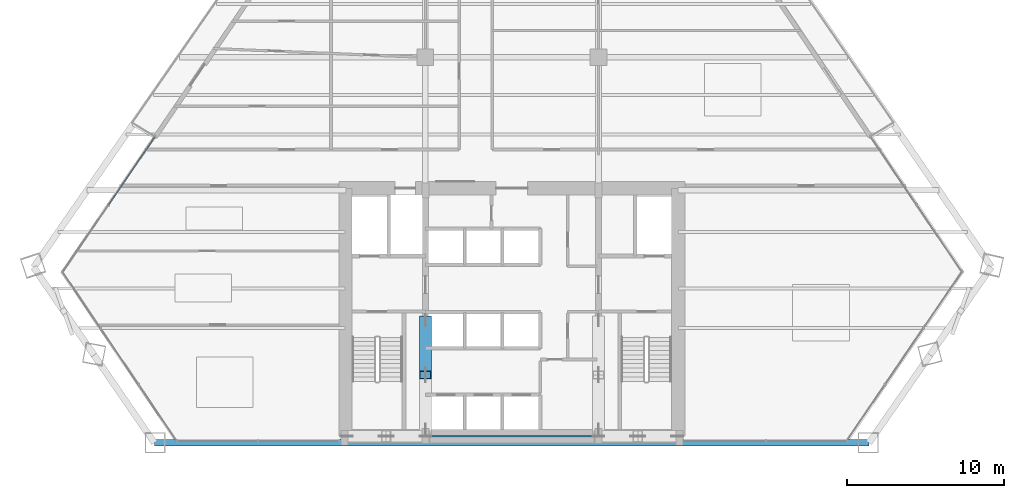
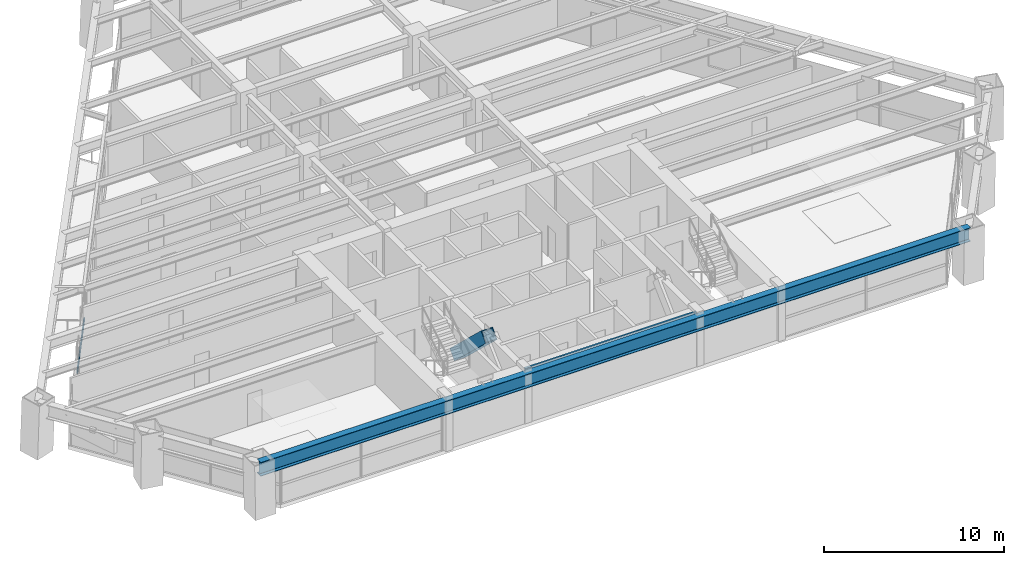
# One storey, part 3 of 14: 2 beams, 2 members, 1 element without a shape of its own.
"""IFC4 building model written with IfcOpenShell, lengths in metres."""

import ifcopenshell
import ifcopenshell.guid

model = None  # the IFC model being written
_history = None  # IfcOwnerHistory: only IFC2X3 demands one
_inside = {}  # id of a spatial element -> (the spatial element, [elements in it])
_under = {}  # id of a project, library or spatial element -> (it, [spatial elements below it])
_declared = {}  # id of a project -> (the project, [libraries it declares])
_typed = {}  # id of a type object -> (the type object, [elements of that type])
_made_of = {}  # id of a material, layer set ... -> (it, [elements and type objects made of it])


def new_model(schema):
    """Start an empty IFC model of exactly this schema.

    Asked for "IFC4X3", IfcOpenShell would pick the latest addendum, in which some entities
    have other attributes; the version numbers below select the first issue.
    IFC2X3 requires an IfcOwnerHistory on every rooted entity: one is made here for all.
    """
    global model, _history
    if schema == "IFC4X3":
        model = ifcopenshell.file(schema_version=(4, 3, 0, 0))
    else:
        model = ifcopenshell.file(schema=schema)
    _inside.clear()
    _under.clear()
    _declared.clear()
    _typed.clear()
    _made_of.clear()
    _history = None
    if model.schema == "IFC2X3":
        org = make("IfcOrganization", Name="unknown")
        user = make(
            "IfcPersonAndOrganization",
            ThePerson=make("IfcPerson", FamilyName="unknown"),
            TheOrganization=org,
        )
        app = make(
            "IfcApplication",
            ApplicationDeveloper=org,
            Version="unknown",
            ApplicationFullName="unknown",
            ApplicationIdentifier="unknown",
        )
        _history = make(
            "IfcOwnerHistory",
            OwningUser=user,
            OwningApplication=app,
            ChangeAction="ADDED",
            CreationDate=0,
        )
    return model


def make(cls, **values):
    """One entity of the class cls with the attributes given. An attribute that is None is left unset."""
    return model.create_entity(
        cls, **{name: value for name, value in values.items() if value is not None}
    )


def rooted(cls, **values):
    """An entity with a GlobalId (a new one), such as an element, a storey or a relation."""
    return make(cls, GlobalId=ifcopenshell.guid.new(), OwnerHistory=_history, **values)


def si_unit(unit_type, name, prefix=None):
    """IfcSIUnit, for example si_unit("LENGTHUNIT", "METRE", prefix="MILLI")."""
    return make("IfcSIUnit", UnitType=unit_type, Prefix=prefix, Name=name)


def assignment(units):
    """IfcUnitAssignment: the units of a project."""
    return None if units is None else make("IfcUnitAssignment", Units=units)


def point(xyz):
    """IfcCartesianPoint."""
    return None if xyz is None else make("IfcCartesianPoint", Coordinates=xyz)


def direction(xyz):
    """IfcDirection."""
    return None if xyz is None else make("IfcDirection", DirectionRatios=xyz)


def frame(location, z_axis=None, x_axis=None):
    """IfcAxis2Placement3D, a coordinate frame: its origin and axes. An axis left out is left unset."""
    return make(
        "IfcAxis2Placement3D",
        Location=point(location),
        Axis=direction(z_axis),
        RefDirection=direction(x_axis),
    )


def frame_2d(location, x_axis=None):
    """IfcAxis2Placement2D, a coordinate frame in the plane: its origin and x axis."""
    return make(
        "IfcAxis2Placement2D", Location=point(location), RefDirection=direction(x_axis)
    )


def origin():
    """The frame at (0, 0, 0) with its axes left unset."""
    return frame((0.0, 0.0, 0.0))


def origin_2d():
    """The frame at (0, 0) in the plane with its x axis left unset."""
    return frame_2d((0.0, 0.0))


def place(relative_to, where):
    """IfcLocalPlacement: puts the frame where relative to a parent placement (None: the world)."""
    return make(
        "IfcLocalPlacement", PlacementRelTo=relative_to, RelativePlacement=where
    )


def context(
    kind, dimensions, precision=None, world=None, true_north=None, identifier=None
):
    """IfcGeometricRepresentationContext, for example the 3D "Model" context."""
    return make(
        "IfcGeometricRepresentationContext",
        ContextIdentifier=identifier,
        ContextType=kind,
        CoordinateSpaceDimension=dimensions,
        Precision=precision,
        WorldCoordinateSystem=world,
        TrueNorth=true_north,
    )


def subcontext(parent, identifier, kind, view, scale=None):
    """IfcGeometricRepresentationSubContext, for example "Body" below "Model"."""
    return make(
        "IfcGeometricRepresentationSubContext",
        ContextIdentifier=identifier,
        ContextType=kind,
        ParentContext=parent,
        TargetScale=scale,
        TargetView=view,
    )


def project(units=None, contexts=None):
    """IfcProject with its units and contexts."""
    return rooted(
        "IfcProject",
        Name="project",
        RepresentationContexts=contexts,
        UnitsInContext=assignment(units),
    )


def spatial(cls, under=None, at=None, **own):
    """A site, building, storey or space (cls), placed at a placement, below another one or the project."""
    s = rooted(cls, ObjectPlacement=at, **own)
    if under is not None:
        _under.setdefault(under.id(), (under, []))[1].append(s)
    return s


def profile(cls, at=None, kind="AREA", **sizes):
    """A parametric profile (cls). Its sizes go by their IFC names, for example OverallWidth=200.0."""
    return make(cls, ProfileType=kind, Position=at, **sizes)


def rectangle(**sizes):
    """IfcRectangleProfileDef."""
    return profile("IfcRectangleProfileDef", **sizes)


def hollow_rectangle(**sizes):
    """IfcRectangleHollowProfileDef."""
    return profile("IfcRectangleHollowProfileDef", **sizes)


def i_section(**sizes):
    """IfcIShapeProfileDef."""
    return profile("IfcIShapeProfileDef", **sizes)


def extrude(swept, where, along, depth):
    """IfcExtrudedAreaSolid: the profile swept, set in the frame where, extruded along a direction by depth."""
    return make(
        "IfcExtrudedAreaSolid",
        SweptArea=swept,
        Position=where,
        ExtrudedDirection=direction(along),
        Depth=depth,
    )


def shape(context_of_items, identifier, shape_type, items):
    """IfcShapeRepresentation: the items that make up one representation, for example the "Body"."""
    return make(
        "IfcShapeRepresentation",
        ContextOfItems=context_of_items,
        RepresentationIdentifier=identifier,
        RepresentationType=shape_type,
        Items=items,
    )


def source(mapping_origin, context_of_items, identifier, shape_type, items):
    """IfcRepresentationMap: a shape defined once, which mapped items show again and again."""
    return make(
        "IfcRepresentationMap",
        MappingOrigin=mapping_origin,
        MappedRepresentation=shape(context_of_items, identifier, shape_type, items),
    )


def transform(
    local_origin,
    x_axis=None,
    y_axis=None,
    z_axis=None,
    scale=None,
    scale2=None,
    scale3=None,
    uniform=True,
):
    """IfcCartesianTransformationOperator3D, or its non-uniform kind. x_axis, y_axis, z_axis: its Axis1, 2, 3."""
    if uniform:
        return make(
            "IfcCartesianTransformationOperator3D",
            Axis1=direction(x_axis),
            Axis2=direction(y_axis),
            LocalOrigin=point(local_origin),
            Scale=scale,
            Axis3=direction(z_axis),
        )
    return make(
        "IfcCartesianTransformationOperator3DnonUniform",
        Axis1=direction(x_axis),
        Axis2=direction(y_axis),
        LocalOrigin=point(local_origin),
        Scale=scale,
        Axis3=direction(z_axis),
        Scale2=scale2,
        Scale3=scale3,
    )


def mapped(mapping_source, mapping_target):
    """IfcMappedItem: shows the shape of a source again, moved by a transform."""
    return make(
        "IfcMappedItem", MappingSource=mapping_source, MappingTarget=mapping_target
    )


def material(Name=None, Category=None):
    """IfcMaterial."""
    return make("IfcMaterial", Name=Name, Category=Category)


def material_profile(
    of_material, cross_section, Name=None, Category=None, Priority=None
):
    """IfcMaterialProfile: a cross section and its material."""
    return make(
        "IfcMaterialProfile",
        Name=Name,
        Material=of_material,
        Profile=cross_section,
        Priority=Priority,
        Category=Category,
    )


def profile_set(profiles, Name=None, composite=None):
    """IfcMaterialProfileSet."""
    return make(
        "IfcMaterialProfileSet",
        Name=Name,
        MaterialProfiles=profiles,
        CompositeProfile=composite,
    )


def made_of(thing, what):
    """Note that an element or type object is made of a material, layer set ...; save() writes the relation."""
    if what is not None:
        _made_of.setdefault(what.id(), (what, []))[1].append(thing)
    return thing


def type_object(cls, material=None, **own):
    """A type object (cls), such as IfcWallType, which elements share."""
    return made_of(rooted(cls, **own), material)


def type_shapes(of_type, sources):
    """Give a type object the sources (RepresentationMaps) that its elements show as mapped items."""
    of_type.RepresentationMaps = sources


def element(
    cls,
    number,
    at=None,
    inside=None,
    cuts=None,
    type_object=None,
    material=None,
    context=None,
    identifier="Body",
    shape_type=None,
    held_by="IfcProductDefinitionShape",
    body=None,
    shapes=None,
    **own,
):
    """One element of the class cls, such as IfcWall. Its Tag is "e" and its number.

    at: its placement. inside: the storey or other place that contains it. cuts: it is an
    opening in that element (IfcRelVoidsElement). A single representation is given by context,
    identifier, shape_type and body (its items); several are given by shapes. held_by: the class
    of the entity that holds the representations. save() writes the other relations.
    """
    e = rooted(cls, Tag="e%d" % number, ObjectPlacement=at, **own)
    if body is not None:
        shapes = [shape(context, identifier, shape_type, body)]
    if shapes is not None:
        e.Representation = make(held_by, Representations=shapes)
    if inside is not None:
        _inside.setdefault(inside.id(), (inside, []))[1].append(e)
    if cuts is not None:
        rooted(
            "IfcRelVoidsElement", RelatingBuildingElement=cuts, RelatedOpeningElement=e
        )
    if type_object is not None:
        _typed.setdefault(type_object.id(), (type_object, []))[1].append(e)
    return made_of(e, material)


def aggregate(whole, parts):
    """IfcRelAggregates: a whole, such as a stair, and the parts it consists of."""
    return rooted("IfcRelAggregates", RelatingObject=whole, RelatedObjects=parts)


def save(model, path):
    """Write the relations noted so far, then the file.

    IfcRelAggregates (storeys below a building ...), IfcRelContainedInSpatialStructure (elements
    in a storey), IfcRelDefinesByType, IfcRelAssociatesMaterial and IfcRelDeclares: one each for
    every whole, place, type object, material and project.
    """
    for whole, parts in _under.values():
        aggregate(whole, parts)
    for where, things in _inside.values():
        rooted(
            "IfcRelContainedInSpatialStructure",
            RelatedElements=things,
            RelatingStructure=where,
        )
    for kind, things in _typed.values():
        rooted("IfcRelDefinesByType", RelatedObjects=things, RelatingType=kind)
    for what, things in _made_of.values():
        rooted("IfcRelAssociatesMaterial", RelatedObjects=things, RelatingMaterial=what)
    for by, libraries in _declared.values():
        rooted("IfcRelDeclares", RelatingContext=by, RelatedDefinitions=libraries)
    model.write(path)


model = new_model("IFC4")

# Units and contexts
model_context = context("Model", 3, precision=1e-05, world=origin(), true_north=direction((0.0, 1.0)))
body_context = subcontext(model_context, "Body", "Model", "MODEL_VIEW")
ifc_project = project(units=[si_unit("LENGTHUNIT", "METRE"), si_unit("AREAUNIT", "SQUARE_METRE"), si_unit("VOLUMEUNIT", "CUBIC_METRE"), si_unit("PLANEANGLEUNIT", "RADIAN"), si_unit("MASSUNIT", "GRAM", prefix="KILO")], contexts=[model_context])

# Site, building, storey
site_placement = place(None, origin())
site = spatial("IfcSite", under=ifc_project, at=site_placement, CompositionType="ELEMENT")
building_placement = place(site_placement, origin())
building = spatial("IfcBuilding", under=site, at=building_placement, Name="Varnakhor Terracotta Tower", CompositionType="ELEMENT")
storey_placement = place(building_placement, frame((0.0, 0.0, 38.60009765625)))
storey = spatial("IfcBuildingStorey", under=building, at=storey_placement, Name="L08", CompositionType="ELEMENT", Elevation=38.60009765625)

# Beam
ifc_material_1 = material(Name="Steel S355", Category="steel")
ifc_material_profile_1 = material_profile(ifc_material_1, i_section(OverallWidth=0.1201171875, OverallDepth=0.239990234375, WebThickness=0.006103515625, FlangeThickness=0.009765625, FilletRadius=0.01806640625, at=origin_2d()), Name="IPE240")
ifc_profile_set_1 = profile_set([ifc_material_profile_1], Name="Steel S355")
beam_type_1 = type_object("IfcBeamType", Name="LNT-IPE240", PredefinedType="LINTEL", material=ifc_profile_set_1)
shared_shape_1 = source(origin(), body_context, "Body", "SweptSolid", [
    extrude(i_section(OverallWidth=0.1201171875, OverallDepth=0.239990234375, WebThickness=0.006103515625, FlangeThickness=0.009765625, FilletRadius=0.01806640625, at=origin_2d()), origin(), (0.0, 0.0, 1.0), 11.0),
])
type_shapes(beam_type_1, [shared_shape_1])
beam_1_placement = place(storey_placement, frame((-5.5, 0.419921875, 3.329833984375), z_axis=(1.0, 0.0, 0.0), x_axis=(0.0, 1.0, 0.0)))
element("IfcBeam", 1, at=beam_1_placement, inside=storey, type_object=beam_type_1, Name="L08 Core South Coupling Lintel", PredefinedType="LINTEL", context=body_context, shape_type="MappedRepresentation", body=[
    mapped(shared_shape_1, transform((0.0, 0.0, 0.0), scale=1.0)),
])

# Member
ifc_material_2 = material(Name="Steel S460", Category="steel")
ifc_material_profile_2 = material_profile(ifc_material_2, hollow_rectangle(XDim=0.75, YDim=0.75, WallThickness=0.044921875, at=origin_2d()), Name="HSS750X750X45")
ifc_profile_set_2 = profile_set([ifc_material_profile_2], Name="Steel S460")
member_type_1 = type_object("IfcMemberType", Name="MBR-MEGA-750", PredefinedType="BRACE", material=ifc_profile_set_2)
shared_shape_2 = source(origin(), body_context, "Body", "SweptSolid", [
    extrude(hollow_rectangle(XDim=0.75, YDim=0.75, WallThickness=0.044921875, at=origin_2d()), origin(), (0.0, 0.0, 1.0), 4.792236328125),
])
member_1_placement = place(storey_placement, frame((-5.5, 7.800048828125, 0.0), z_axis=(0.0, -0.72515968173, 0.688580740359), x_axis=(1.0, 0.0, 0.0)))
element("IfcMember", 2, at=member_1_placement, inside=storey, type_object=member_type_1, Name="L08 Core Coupled Brace CWWB", PredefinedType="BRACE", context=body_context, shape_type="MappedRepresentation", body=[
    mapped(shared_shape_2, transform((0.0, 0.0, 0.0), scale=1.0)),
])

# Beam
ifc_material_profile_3 = material_profile(ifc_material_1, i_section(OverallWidth=0.41796875, OverallDepth=0.927001953125, WebThickness=0.01904296875, FlangeThickness=0.031982421875, FilletRadius=0.01806640625, at=origin_2d()), Name="W36X231")
ifc_profile_set_3 = profile_set([ifc_material_profile_3], Name="Steel S355")
beam_type_2 = type_object("IfcBeamType", Name="BM-W36X231", PredefinedType="BEAM", material=ifc_profile_set_3)
shared_shape_3 = source(origin(), body_context, "Body", "SweptSolid", [
    extrude(i_section(OverallWidth=0.41796875, OverallDepth=0.927001953125, WebThickness=0.01904296875, FlangeThickness=0.031982421875, FilletRadius=0.01806640625, at=origin_2d()), origin(), (0.0, 0.0, 1.0), 45.422607421875),
])
beam_2_placement = place(storey_placement, frame((-22.730712890625, 0.0, 2.986328125), z_axis=(1.0, 0.0, 0.0), x_axis=(0.0, 1.0, 0.0)))
element("IfcBeam", 3, at=beam_2_placement, inside=storey, type_object=beam_type_2, Name="L08 Perimeter Spandrel 1", PredefinedType="BEAM", context=body_context, shape_type="MappedRepresentation", body=[
    mapped(shared_shape_3, transform((0.0, 0.0, 0.0), scale=1.0)),
])

# Curtain wall, member
ifc_material_3 = material(Name="Anodised Aluminium Curtain Wall System", Category="aluminium")
curtain_wall_type = type_object("IfcCurtainWallType", Name="CW-SYS-LOW-OFFICE", PredefinedType="NOTDEFINED", material=ifc_material_3)
curtain_wall_placement = place(storey_placement, origin())
curtain_wall = element("IfcCurtainWall", 4, at=curtain_wall_placement, inside=storey, type_object=curtain_wall_type, Name="L08 W Facet Curtain Wall 1", PredefinedType="NOTDEFINED")
ifc_material_4 = material(Name="Anodised Aluminium 6063-T6", Category="aluminium")
ifc_material_profile_4 = material_profile(ifc_material_4, rectangle(XDim=0.074951171875, YDim=0.1650390625, at=origin_2d()), Name="ALU TRANSOM 75x165")
ifc_profile_set_4 = profile_set([ifc_material_profile_4], Name="Anodised Aluminium 6063-T6")
member_type_2 = type_object("IfcMemberType", Name="CWT-02", PredefinedType="USERDEFINED", material=ifc_profile_set_4)
shared_shape_4 = source(origin(), body_context, "Body", "SweptSolid", [
    extrude(rectangle(XDim=0.074951171875, YDim=0.1650390625, at=origin_2d()), origin(), (0.0, 0.0, 1.0), 5.217529296875),
])
member_2_placement = place(storey_placement, frame((-25.635498046875, 15.120361328125, 1.2724609375), z_axis=(0.563287457276, 0.826261000214, 0.0), x_axis=(-0.826261000214, 0.563287457276, 0.0)))
member_2 = element("IfcMember", 5, at=member_2_placement, type_object=member_type_2, Name="L08 W Facet Curtain Wall 1 Transom 2", ObjectType="TRANSOM", PredefinedType="USERDEFINED", context=body_context, shape_type="MappedRepresentation", body=[
    mapped(shared_shape_4, transform((0.0, 0.0, 0.0), scale=1.0)),
])
aggregate(curtain_wall, [member_2])

save(model, "model.ifc")
